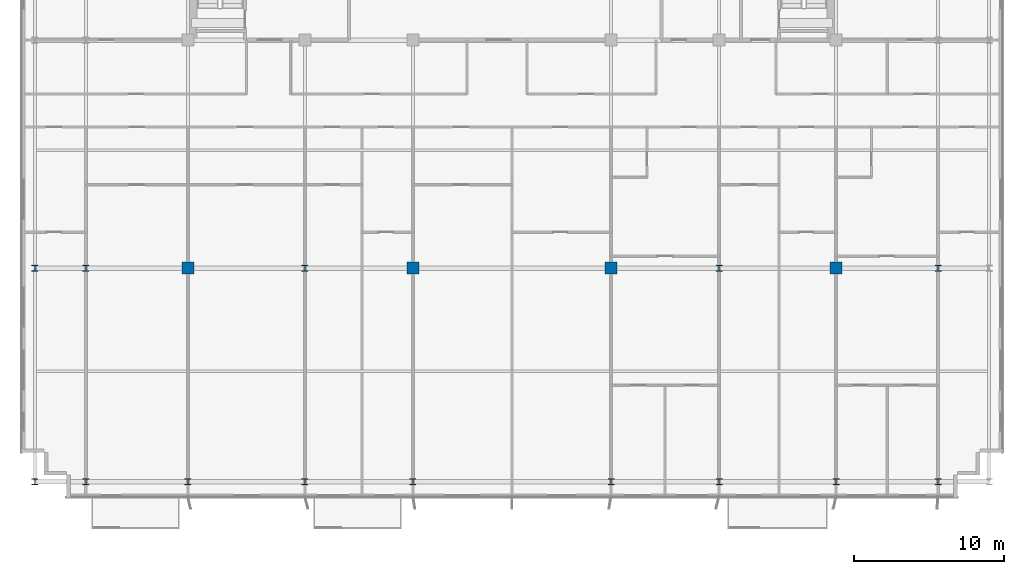
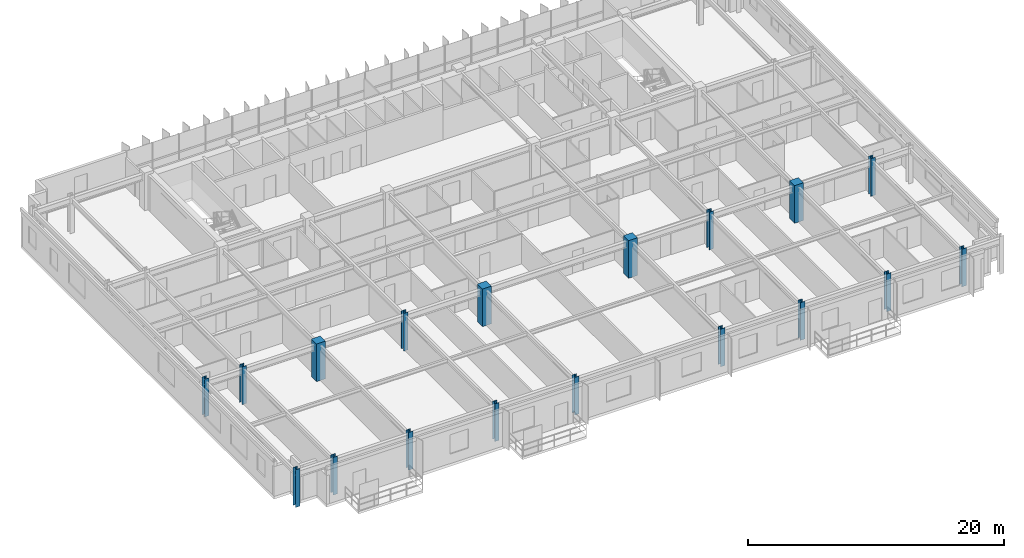
# One storey, part 1 of 21: 18 columns.
"""IFC4 building model written with IfcOpenShell, lengths in metres."""

from ifc_helpers import new_model, si_unit, direction, frame, origin, origin_2d, place, context, subcontext, project, spatial, rectangle, i_section, extrude, source, transform, mapped, material, material_profile, profile_set, type_object, element, save


model = new_model("IFC4")

# Units and contexts
model_context = context("Model", 3, precision=1e-05, world=origin(), true_north=direction((0.0, 1.0)))
body_context = subcontext(model_context, "Body", "Model", "MODEL_VIEW")
ifc_project = project(units=[si_unit("LENGTHUNIT", "METRE"), si_unit("AREAUNIT", "SQUARE_METRE"), si_unit("VOLUMEUNIT", "CUBIC_METRE"), si_unit("PLANEANGLEUNIT", "RADIAN"), si_unit("MASSUNIT", "GRAM", prefix="KILO")], contexts=[model_context])

# Site, building, storey
site_placement = place(None, origin())
site = spatial("IfcSite", under=ifc_project, at=site_placement, CompositionType="ELEMENT")
building_placement = place(site_placement, origin())
building = spatial("IfcBuilding", under=site, at=building_placement, Name="Trelvane Seafront Commons", CompositionType="ELEMENT")
storey_placement = place(building_placement, frame((0.0, 0.0, 110.5)))
storey = spatial("IfcBuildingStorey", under=building, at=storey_placement, Name="L28", CompositionType="ELEMENT", Elevation=110.5)

# Columns
ifc_material_1 = material(Name="Steel SM355 (S355)", Category="steel")
ifc_material_profile_1 = material_profile(ifc_material_1, i_section(OverallWidth=0.39990234375, OverallDepth=0.39990234375, WebThickness=0.02197265625, FlangeThickness=0.034912109375, at=origin_2d()), Name="HD-400x400x22x35")
ifc_profile_set_1 = profile_set([ifc_material_profile_1], Name="Steel SM355 (S355)")
column_type_1 = type_object("IfcColumnType", Name="STR-COL-HD400", PredefinedType="COLUMN", material=ifc_profile_set_1)
shared_shape_1 = source(origin(), body_context, "Body", "SweptSolid", [
    extrude(i_section(OverallWidth=0.39990234375, OverallDepth=0.39990234375, WebThickness=0.02197265625, FlangeThickness=0.034912109375, at=origin_2d()), origin(), (0.0, 0.0, 1.0), 3.60009765625),
])
for number, where, z_axis, x_axis, name in (
    (1, (5.39990234375, 3.949951171875, 0.0), (0.0, 0.0, 1.0), (1.0, 0.0, 0.0), "L28 Column TC-S5.4"),
    (2, (5.39990234375, 18.199951171875, 0.0), (0.0, 0.0, 1.0), (1.0, 0.0, 0.0), "L28 Column TC-M5.4"),
    (3, (8.800048828125, 3.949951171875, 0.0), (0.0, 0.0, 1.0), (1.0, 0.0, 0.0), "L28 Column TC-S8.8"),
    (4, (8.800048828125, 18.199951171875, 0.0), (0.0, 0.0, 1.0), (1.0, 0.0, 0.0), "L28 Column TC-M8.8"),
    (5, (15.60009765625, 3.949951171875, 0.0), (0.0, 0.0, 1.0), (1.0, 0.0, 0.0), "L28 Column TC-S15.6"),
    (6, (23.39990234375, 3.949951171875, 0.0), (0.0, 0.0, 1.0), (1.0, 0.0, 0.0), "L28 Column TC-S23.4"),
    (7, (23.39990234375, 18.199951171875, 0.0), (0.0, 0.0, 1.0), (1.0, 0.0, 0.0), "L28 Column TC-M23.4"),
    (8, (30.60009765625, 3.949951171875, 0.0), (0.0, 0.0, 1.0), (1.0, 0.0, 0.0), "L28 Column TC-S30.6"),
    (9, (43.800048828125, 3.949951171875, 0.0), (0.0, 0.0, 1.0), (1.0, 0.0, 0.0), "L28 Column TC-S43.8"),
    (10, (51.0, 3.949951171875, 0.0), (0.0, 0.0, 1.0), (1.0, 0.0, 0.0), "L28 Column TC-S51.0"),
    (11, (51.0, 18.199951171875, 0.0), (0.0, 0.0, 1.0), (1.0, 0.0, 0.0), "L28 Column TC-M51.0"),
    (12, (58.800048828125, 3.949951171875, 0.0), (0.0, 0.0, 1.0), (1.0, 0.0, 0.0), "L28 Column TC-S58.8"),
    (13, (65.60009765625, 3.949951171875, 0.0), (0.0, 0.0, 1.0), (1.0, 0.0, 0.0), "L28 Column TC-S65.6"),
    (14, (65.60009765625, 18.199951171875, 0.0), (0.0, 0.0, 1.0), (1.0, 0.0, 0.0), "L28 Column TC-M65.6"),
):
    element("IfcColumn", number, at=place(storey_placement, frame(where, z_axis=z_axis, x_axis=x_axis)), inside=storey, type_object=column_type_1, Name=name, PredefinedType="COLUMN", context=body_context, shape_type="MappedRepresentation", body=[
        mapped(shared_shape_1, transform((0.0, 0.0, 0.0), x_axis=(1.0, 0.0, 0.0), y_axis=(0.0, 1.0, 0.0), z_axis=(0.0, 0.0, 1.0), scale=1.0)),
    ])
ifc_material_2 = material(Name="Concrete C60/75", Category="concrete")
ifc_material_profile_2 = material_profile(ifc_material_2, rectangle(XDim=0.800048828125, YDim=0.800048828125, at=origin_2d()), Name="RC-800x800")
ifc_profile_set_2 = profile_set([ifc_material_profile_2], Name="Concrete C60/75")
column_type_2 = type_object("IfcColumnType", Name="STR-COL-RC800", PredefinedType="COLUMN", material=ifc_profile_set_2)
shared_shape_2 = source(origin(), body_context, "Body", "SweptSolid", [
    extrude(rectangle(XDim=0.800048828125, YDim=0.800048828125, at=origin_2d()), origin(), (0.0, 0.0, 1.0), 3.60009765625),
])
for number, where, z_axis, x_axis, name in (
    (15, (15.60009765625, 18.199951171875, 0.0), (0.0, 0.0, 1.0), (1.0, 0.0, 0.0), "L28 Column TC-M15.6"),
    (16, (30.60009765625, 18.199951171875, 0.0), (0.0, 0.0, 1.0), (1.0, 0.0, 0.0), "L28 Column TC-M30.6"),
    (17, (43.800048828125, 18.199951171875, 0.0), (0.0, 0.0, 1.0), (1.0, 0.0, 0.0), "L28 Column TC-M43.8"),
    (18, (58.800048828125, 18.199951171875, 0.0), (0.0, 0.0, 1.0), (1.0, 0.0, 0.0), "L28 Column TC-M58.8"),
):
    element("IfcColumn", number, at=place(storey_placement, frame(where, z_axis=z_axis, x_axis=x_axis)), inside=storey, type_object=column_type_2, Name=name, PredefinedType="COLUMN", context=body_context, shape_type="MappedRepresentation", body=[
        mapped(shared_shape_2, transform((0.0, 0.0, 0.0), x_axis=(1.0, 0.0, 0.0), y_axis=(0.0, 1.0, 0.0), z_axis=(0.0, 0.0, 1.0), scale=1.0)),
    ])

save(model, "model.ifc")
